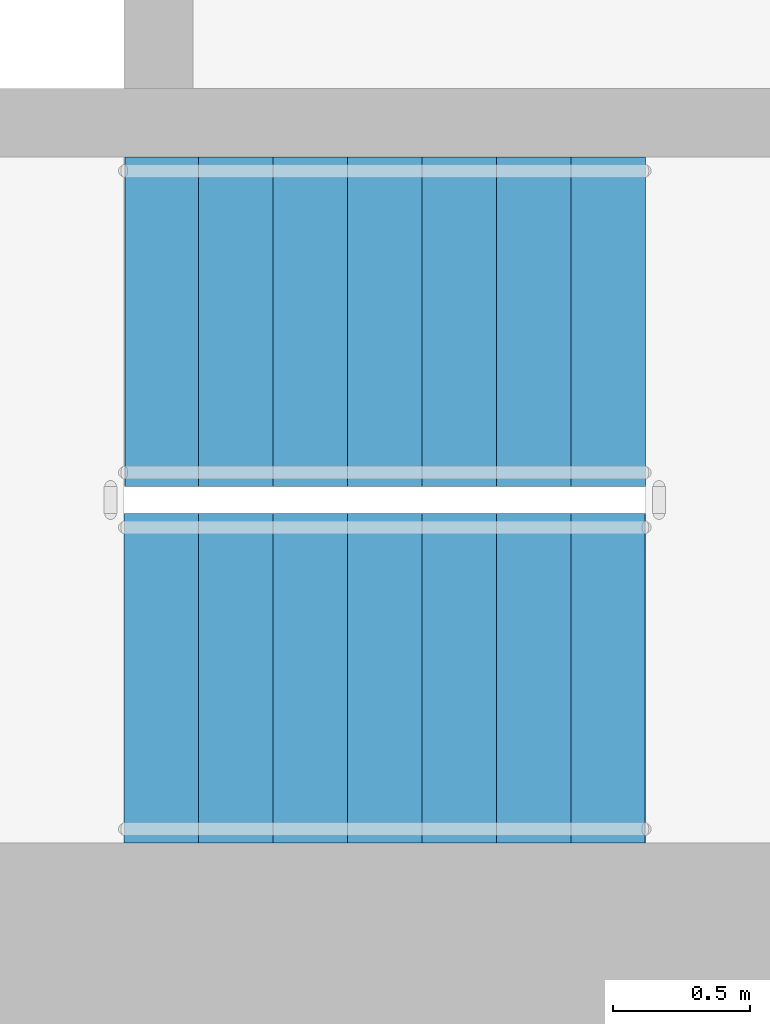
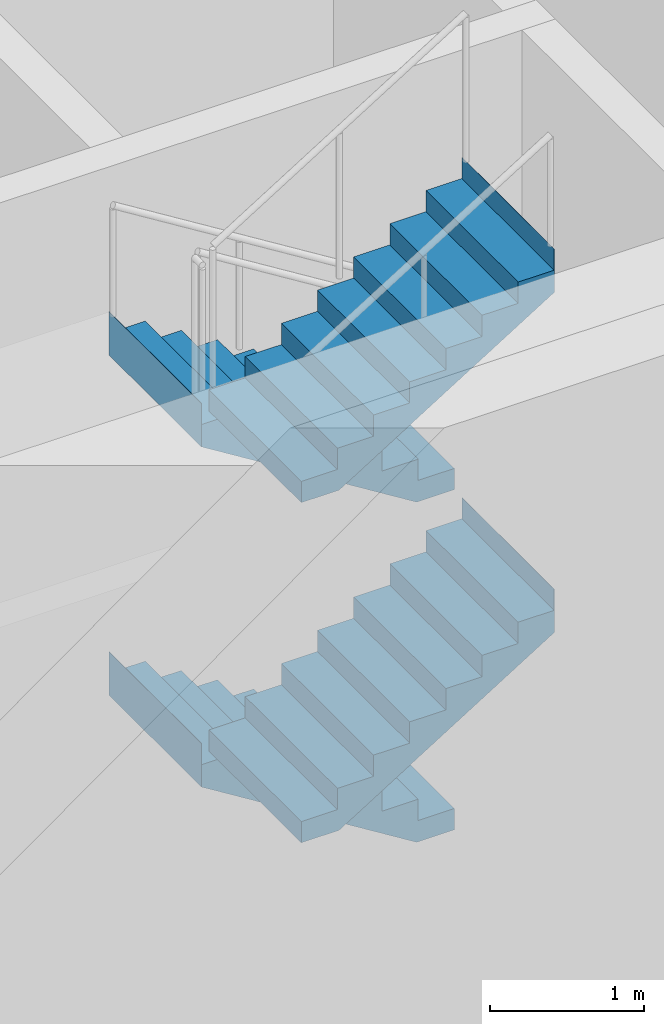
# One storey, part 10 of 18: 4 stair flights, 1 element without a shape of its own.
"""IFC4 building model written with IfcOpenShell, lengths in metres."""

from ifc_helpers import new_model, si_unit, direction, frame, origin, place, context, subcontext, project, spatial, triangles, material, type_object, element, aggregate, save


model = new_model("IFC4")

# Units and contexts
model_context = context("Model", 3, precision=1e-05, world=origin(), true_north=direction((0.0, 1.0)))
body_context = subcontext(model_context, "Body", "Model", "MODEL_VIEW")
ifc_project = project(units=[si_unit("LENGTHUNIT", "METRE"), si_unit("AREAUNIT", "SQUARE_METRE"), si_unit("VOLUMEUNIT", "CUBIC_METRE"), si_unit("PLANEANGLEUNIT", "RADIAN"), si_unit("MASSUNIT", "GRAM", prefix="KILO")], contexts=[model_context])

# Site, building, storey
site_placement = place(None, origin())
site = spatial("IfcSite", under=ifc_project, at=site_placement, CompositionType="ELEMENT")
building_placement = place(site_placement, origin())
building = spatial("IfcBuilding", under=site, at=building_placement, Name="Sahrelin Media Tower", CompositionType="ELEMENT")
storey_placement = place(building_placement, frame((0.0, 0.0, 197.60009765625)))
storey = spatial("IfcBuildingStorey", under=building, at=storey_placement, Name="L42", CompositionType="ELEMENT", Elevation=197.60009765625)

# Stair, stair flights
ifc_material = material(Name="Concrete C40/50", Category="concrete")
stair_type = type_object("IfcStairType", Name="Exit stair 1200", PredefinedType="HALF_TURN_STAIR", material=ifc_material)
stair_placement = place(storey_placement, origin())
stair = element("IfcStair", 1, at=stair_placement, inside=storey, type_object=stair_type, Name="L42 Exit stair ST2", PredefinedType="HALF_TURN_STAIR")
stair_flight_type = type_object("IfcStairFlightType", Name="Stair flight 1200", PredefinedType="STRAIGHT", material=ifc_material)
stair_flight_1_placement = place(storey_placement, frame((7.675048828125, -4.699951171875, 0.0), z_axis=(0.0, 0.0, 1.0), x_axis=(-1.0, 0.0, 0.0)))
stair_flight_1 = element("IfcStairFlight", 2, at=stair_flight_1_placement, type_object=stair_flight_type, Name="ST2 flight 1", NumberOfRisers=8, NumberOfTreads=7, PredefinedType="STRAIGHT", RiserHeight=0.16875, TreadLength=0.271428571, context=body_context, shape_type="Tessellation", body=[
    triangles([(0.283935546875, 0.60009765625, 0.0), (0.283935546875, 0.300048828125, 0.0), (0.283935546875, 0.0, 0.0), (0.283935546875, -0.300048828125, 0.0), (0.283935546875, -0.60009765625, 0.0), (1.89990234375, 0.60009765625, 1.004638671875), (1.89990234375, 0.300048828125, 1.004638671875), (1.89990234375, 0.0, 1.004638671875), (1.89990234375, -0.300048828125, 1.004638671875), (1.89990234375, -0.60009765625, 1.004638671875), (1.89990234375, 0.60009765625, 1.35009765625), (1.89990234375, 0.300048828125, 1.35009765625), (1.89990234375, 0.0, 1.35009765625), (1.89990234375, -0.300048828125, 1.35009765625), (1.89990234375, -0.60009765625, 1.35009765625), (1.89794921875, 0.60009765625, 1.35009765625), (1.89794921875, 0.300048828125, 1.35009765625), (1.89794921875, 0.0, 1.35009765625), (1.89794921875, -0.300048828125, 1.35009765625), (1.89794921875, -0.60009765625, 1.35009765625), (1.89794921875, 0.60009765625, 1.18115234375), (1.89794921875, 0.300048828125, 1.18115234375), (1.89794921875, 0.0, 1.18115234375), (1.89794921875, -0.300048828125, 1.18115234375), (1.89794921875, -0.60009765625, 1.18115234375), (1.628662109375, 0.60009765625, 1.18115234375), (1.628662109375, 0.300048828125, 1.18115234375), (1.628662109375, 0.0, 1.18115234375), (1.628662109375, -0.300048828125, 1.18115234375), (1.628662109375, -0.60009765625, 1.18115234375), (1.628662109375, 0.60009765625, 1.012451171875), (1.628662109375, 0.300048828125, 1.012451171875), (1.628662109375, 0.0, 1.012451171875), (1.628662109375, -0.300048828125, 1.012451171875), (1.628662109375, -0.60009765625, 1.012451171875), (1.357177734375, 0.60009765625, 1.012451171875), (1.357177734375, 0.300048828125, 1.012451171875), (1.357177734375, 0.0, 1.012451171875), (1.357177734375, -0.300048828125, 1.012451171875), (1.357177734375, -0.60009765625, 1.012451171875), (1.357177734375, 0.60009765625, 0.84375), (1.357177734375, 0.300048828125, 0.84375), (1.357177734375, 0.0, 0.84375), (1.357177734375, -0.300048828125, 0.84375), (1.357177734375, -0.60009765625, 0.84375), (1.085693359375, 0.60009765625, 0.84375), (1.085693359375, 0.300048828125, 0.84375), (1.085693359375, 0.0, 0.84375), (1.085693359375, -0.300048828125, 0.84375), (1.085693359375, -0.60009765625, 0.84375), (1.085693359375, 0.60009765625, 0.675048828125), (1.085693359375, 0.300048828125, 0.675048828125), (1.085693359375, 0.0, 0.675048828125), (1.085693359375, -0.300048828125, 0.675048828125), (1.085693359375, -0.60009765625, 0.675048828125), (0.814208984375, 0.60009765625, 0.675048828125), (0.814208984375, 0.300048828125, 0.675048828125), (0.814208984375, 0.0, 0.675048828125), (0.814208984375, -0.300048828125, 0.675048828125), (0.814208984375, -0.60009765625, 0.675048828125), (0.814208984375, 0.60009765625, 0.50634765625), (0.814208984375, 0.300048828125, 0.50634765625), (0.814208984375, 0.0, 0.50634765625), (0.814208984375, -0.300048828125, 0.50634765625), (0.814208984375, -0.60009765625, 0.50634765625), (0.54296875, 0.60009765625, 0.50634765625), (0.54296875, 0.300048828125, 0.50634765625), (0.54296875, 0.0, 0.50634765625), (0.54296875, -0.300048828125, 0.50634765625), (0.54296875, -0.60009765625, 0.50634765625), (0.54296875, 0.60009765625, 0.33740234375), (0.54296875, 0.300048828125, 0.33740234375), (0.54296875, 0.0, 0.33740234375), (0.54296875, -0.300048828125, 0.33740234375), (0.54296875, -0.60009765625, 0.33740234375), (0.271484375, 0.60009765625, 0.33740234375), (0.271484375, 0.300048828125, 0.33740234375), (0.271484375, 0.0, 0.33740234375), (0.271484375, -0.300048828125, 0.33740234375), (0.271484375, -0.60009765625, 0.33740234375), (0.271484375, 0.60009765625, 0.168701171875), (0.271484375, 0.300048828125, 0.168701171875), (0.271484375, 0.0, 0.168701171875), (0.271484375, -0.300048828125, 0.168701171875), (0.271484375, -0.60009765625, 0.168701171875), (0.0, 0.60009765625, 0.168701171875), (0.0, 0.300048828125, 0.168701171875), (0.0, 0.0, 0.168701171875), (0.0, -0.300048828125, 0.168701171875), (0.0, -0.60009765625, 0.168701171875), (0.0, 0.60009765625, 0.0), (0.0, 0.300048828125, 0.0), (0.0, 0.0, 0.0), (0.0, -0.300048828125, 0.0), (0.0, -0.60009765625, 0.0)], [[1, 6, 7], [1, 7, 2], [2, 7, 8], [2, 8, 3], [3, 8, 9], [3, 9, 4], [4, 9, 10], [4, 10, 5], [6, 11, 12], [6, 12, 7], [7, 12, 13], [7, 13, 8], [8, 13, 14], [8, 14, 9], [9, 14, 15], [9, 15, 10], [11, 16, 17], [11, 17, 12], [12, 17, 18], [12, 18, 13], [13, 18, 19], [13, 19, 14], [14, 19, 20], [14, 20, 15], [16, 21, 22], [16, 22, 17], [17, 22, 23], [17, 23, 18], [18, 23, 24], [18, 24, 19], [19, 24, 25], [19, 25, 20], [21, 26, 27], [21, 27, 22], [22, 27, 28], [22, 28, 23], [23, 28, 29], [23, 29, 24], [24, 29, 30], [24, 30, 25], [26, 31, 32], [26, 32, 27], [27, 32, 33], [27, 33, 28], [28, 33, 34], [28, 34, 29], [29, 34, 35], [29, 35, 30], [31, 36, 37], [31, 37, 32], [32, 37, 38], [32, 38, 33], [33, 38, 39], [33, 39, 34], [34, 39, 40], [34, 40, 35], [36, 41, 42], [36, 42, 37], [37, 42, 43], [37, 43, 38], [38, 43, 44], [38, 44, 39], [39, 44, 45], [39, 45, 40], [41, 46, 47], [41, 47, 42], [42, 47, 48], [42, 48, 43], [43, 48, 49], [43, 49, 44], [44, 49, 50], [44, 50, 45], [46, 51, 52], [46, 52, 47], [47, 52, 53], [47, 53, 48], [48, 53, 54], [48, 54, 49], [49, 54, 55], [49, 55, 50], [51, 56, 57], [51, 57, 52], [52, 57, 58], [52, 58, 53], [53, 58, 59], [53, 59, 54], [54, 59, 60], [54, 60, 55], [56, 61, 62], [56, 62, 57], [57, 62, 63], [57, 63, 58], [58, 63, 64], [58, 64, 59], [59, 64, 65], [59, 65, 60], [61, 66, 67], [61, 67, 62], [62, 67, 68], [62, 68, 63], [63, 68, 69], [63, 69, 64], [64, 69, 70], [64, 70, 65], [66, 71, 72], [66, 72, 67], [67, 72, 73], [67, 73, 68], [68, 73, 74], [68, 74, 69], [69, 74, 75], [69, 75, 70], [71, 76, 77], [71, 77, 72], [72, 77, 78], [72, 78, 73], [73, 78, 79], [73, 79, 74], [74, 79, 80], [74, 80, 75], [76, 81, 82], [76, 82, 77], [77, 82, 83], [77, 83, 78], [78, 83, 84], [78, 84, 79], [79, 84, 85], [79, 85, 80], [81, 86, 87], [81, 87, 82], [82, 87, 88], [82, 88, 83], [83, 88, 89], [83, 89, 84], [84, 89, 90], [84, 90, 85], [86, 91, 92], [86, 92, 87], [87, 92, 93], [87, 93, 88], [88, 93, 94], [88, 94, 89], [89, 94, 95], [89, 95, 90], [91, 1, 2], [91, 2, 92], [92, 2, 3], [92, 3, 93], [93, 3, 4], [93, 4, 94], [94, 4, 5], [94, 5, 95], [85, 90, 95], [81, 91, 86], [85, 75, 80], [81, 76, 71], [75, 65, 70], [71, 66, 61], [65, 55, 60], [61, 56, 51], [55, 45, 50], [51, 46, 41], [45, 35, 40], [41, 36, 31], [35, 25, 30], [31, 26, 21], [25, 15, 20], [21, 16, 11], [95, 5, 85], [91, 81, 1], [5, 55, 65], [1, 61, 51], [25, 10, 15], [21, 11, 6], [75, 85, 5], [71, 1, 81], [10, 45, 55], [6, 51, 41], [35, 10, 25], [31, 21, 6], [65, 75, 5], [61, 1, 71], [45, 10, 35], [41, 31, 6], [5, 10, 55], [1, 51, 6]], closed=True),
])
stair_flight_2_placement = place(storey_placement, frame((5.77490234375, -6.0, 1.349853515625), z_axis=(0.0, 0.0, 1.0), x_axis=(1.0, 0.0, 0.0)))
stair_flight_2 = element("IfcStairFlight", 3, at=stair_flight_2_placement, type_object=stair_flight_type, Name="ST2 flight 2", NumberOfRisers=8, NumberOfTreads=7, PredefinedType="STRAIGHT", RiserHeight=0.16875, TreadLength=0.271428571, context=body_context, shape_type="Tessellation", body=[
    triangles([(0.283935546875, 0.60009765625, 0.0), (0.283935546875, 0.300048828125, 0.0), (0.283935546875, 0.0, 0.0), (0.283935546875, -0.300048828125, 0.0), (0.283935546875, -0.60009765625, 0.0), (1.89990234375, 0.60009765625, 1.004638671875), (1.89990234375, 0.300048828125, 1.004638671875), (1.89990234375, 0.0, 1.004638671875), (1.89990234375, -0.300048828125, 1.004638671875), (1.89990234375, -0.60009765625, 1.004638671875), (1.89990234375, 0.60009765625, 1.35009765625), (1.89990234375, 0.300048828125, 1.35009765625), (1.89990234375, 0.0, 1.35009765625), (1.89990234375, -0.300048828125, 1.35009765625), (1.89990234375, -0.60009765625, 1.35009765625), (1.89794921875, 0.60009765625, 1.35009765625), (1.89794921875, 0.300048828125, 1.35009765625), (1.89794921875, 0.0, 1.35009765625), (1.89794921875, -0.300048828125, 1.35009765625), (1.89794921875, -0.60009765625, 1.35009765625), (1.89794921875, 0.60009765625, 1.18115234375), (1.89794921875, 0.300048828125, 1.18115234375), (1.89794921875, 0.0, 1.18115234375), (1.89794921875, -0.300048828125, 1.18115234375), (1.89794921875, -0.60009765625, 1.18115234375), (1.628662109375, 0.60009765625, 1.18115234375), (1.628662109375, 0.300048828125, 1.18115234375), (1.628662109375, 0.0, 1.18115234375), (1.628662109375, -0.300048828125, 1.18115234375), (1.628662109375, -0.60009765625, 1.18115234375), (1.628662109375, 0.60009765625, 1.012451171875), (1.628662109375, 0.300048828125, 1.012451171875), (1.628662109375, 0.0, 1.012451171875), (1.628662109375, -0.300048828125, 1.012451171875), (1.628662109375, -0.60009765625, 1.012451171875), (1.357177734375, 0.60009765625, 1.012451171875), (1.357177734375, 0.300048828125, 1.012451171875), (1.357177734375, 0.0, 1.012451171875), (1.357177734375, -0.300048828125, 1.012451171875), (1.357177734375, -0.60009765625, 1.012451171875), (1.357177734375, 0.60009765625, 0.84375), (1.357177734375, 0.300048828125, 0.84375), (1.357177734375, 0.0, 0.84375), (1.357177734375, -0.300048828125, 0.84375), (1.357177734375, -0.60009765625, 0.84375), (1.085693359375, 0.60009765625, 0.84375), (1.085693359375, 0.300048828125, 0.84375), (1.085693359375, 0.0, 0.84375), (1.085693359375, -0.300048828125, 0.84375), (1.085693359375, -0.60009765625, 0.84375), (1.085693359375, 0.60009765625, 0.675048828125), (1.085693359375, 0.300048828125, 0.675048828125), (1.085693359375, 0.0, 0.675048828125), (1.085693359375, -0.300048828125, 0.675048828125), (1.085693359375, -0.60009765625, 0.675048828125), (0.814208984375, 0.60009765625, 0.675048828125), (0.814208984375, 0.300048828125, 0.675048828125), (0.814208984375, 0.0, 0.675048828125), (0.814208984375, -0.300048828125, 0.675048828125), (0.814208984375, -0.60009765625, 0.675048828125), (0.814208984375, 0.60009765625, 0.50634765625), (0.814208984375, 0.300048828125, 0.50634765625), (0.814208984375, 0.0, 0.50634765625), (0.814208984375, -0.300048828125, 0.50634765625), (0.814208984375, -0.60009765625, 0.50634765625), (0.54296875, 0.60009765625, 0.50634765625), (0.54296875, 0.300048828125, 0.50634765625), (0.54296875, 0.0, 0.50634765625), (0.54296875, -0.300048828125, 0.50634765625), (0.54296875, -0.60009765625, 0.50634765625), (0.54296875, 0.60009765625, 0.33740234375), (0.54296875, 0.300048828125, 0.33740234375), (0.54296875, 0.0, 0.33740234375), (0.54296875, -0.300048828125, 0.33740234375), (0.54296875, -0.60009765625, 0.33740234375), (0.271484375, 0.60009765625, 0.33740234375), (0.271484375, 0.300048828125, 0.33740234375), (0.271484375, 0.0, 0.33740234375), (0.271484375, -0.300048828125, 0.33740234375), (0.271484375, -0.60009765625, 0.33740234375), (0.271484375, 0.60009765625, 0.168701171875), (0.271484375, 0.300048828125, 0.168701171875), (0.271484375, 0.0, 0.168701171875), (0.271484375, -0.300048828125, 0.168701171875), (0.271484375, -0.60009765625, 0.168701171875), (0.0, 0.60009765625, 0.168701171875), (0.0, 0.300048828125, 0.168701171875), (0.0, 0.0, 0.168701171875), (0.0, -0.300048828125, 0.168701171875), (0.0, -0.60009765625, 0.168701171875), (0.0, 0.60009765625, 0.0), (0.0, 0.300048828125, 0.0), (0.0, 0.0, 0.0), (0.0, -0.300048828125, 0.0), (0.0, -0.60009765625, 0.0)], [[1, 6, 7], [1, 7, 2], [2, 7, 8], [2, 8, 3], [3, 8, 9], [3, 9, 4], [4, 9, 10], [4, 10, 5], [6, 11, 12], [6, 12, 7], [7, 12, 13], [7, 13, 8], [8, 13, 14], [8, 14, 9], [9, 14, 15], [9, 15, 10], [11, 16, 17], [11, 17, 12], [12, 17, 18], [12, 18, 13], [13, 18, 19], [13, 19, 14], [14, 19, 20], [14, 20, 15], [16, 21, 22], [16, 22, 17], [17, 22, 23], [17, 23, 18], [18, 23, 24], [18, 24, 19], [19, 24, 25], [19, 25, 20], [21, 26, 27], [21, 27, 22], [22, 27, 28], [22, 28, 23], [23, 28, 29], [23, 29, 24], [24, 29, 30], [24, 30, 25], [26, 31, 32], [26, 32, 27], [27, 32, 33], [27, 33, 28], [28, 33, 34], [28, 34, 29], [29, 34, 35], [29, 35, 30], [31, 36, 37], [31, 37, 32], [32, 37, 38], [32, 38, 33], [33, 38, 39], [33, 39, 34], [34, 39, 40], [34, 40, 35], [36, 41, 42], [36, 42, 37], [37, 42, 43], [37, 43, 38], [38, 43, 44], [38, 44, 39], [39, 44, 45], [39, 45, 40], [41, 46, 47], [41, 47, 42], [42, 47, 48], [42, 48, 43], [43, 48, 49], [43, 49, 44], [44, 49, 50], [44, 50, 45], [46, 51, 52], [46, 52, 47], [47, 52, 53], [47, 53, 48], [48, 53, 54], [48, 54, 49], [49, 54, 55], [49, 55, 50], [51, 56, 57], [51, 57, 52], [52, 57, 58], [52, 58, 53], [53, 58, 59], [53, 59, 54], [54, 59, 60], [54, 60, 55], [56, 61, 62], [56, 62, 57], [57, 62, 63], [57, 63, 58], [58, 63, 64], [58, 64, 59], [59, 64, 65], [59, 65, 60], [61, 66, 67], [61, 67, 62], [62, 67, 68], [62, 68, 63], [63, 68, 69], [63, 69, 64], [64, 69, 70], [64, 70, 65], [66, 71, 72], [66, 72, 67], [67, 72, 73], [67, 73, 68], [68, 73, 74], [68, 74, 69], [69, 74, 75], [69, 75, 70], [71, 76, 77], [71, 77, 72], [72, 77, 78], [72, 78, 73], [73, 78, 79], [73, 79, 74], [74, 79, 80], [74, 80, 75], [76, 81, 82], [76, 82, 77], [77, 82, 83], [77, 83, 78], [78, 83, 84], [78, 84, 79], [79, 84, 85], [79, 85, 80], [81, 86, 87], [81, 87, 82], [82, 87, 88], [82, 88, 83], [83, 88, 89], [83, 89, 84], [84, 89, 90], [84, 90, 85], [86, 91, 92], [86, 92, 87], [87, 92, 93], [87, 93, 88], [88, 93, 94], [88, 94, 89], [89, 94, 95], [89, 95, 90], [91, 1, 2], [91, 2, 92], [92, 2, 3], [92, 3, 93], [93, 3, 4], [93, 4, 94], [94, 4, 5], [94, 5, 95], [85, 90, 95], [81, 91, 86], [85, 75, 80], [81, 76, 71], [75, 65, 70], [71, 66, 61], [65, 55, 60], [61, 56, 51], [55, 45, 50], [51, 46, 41], [45, 35, 40], [41, 36, 31], [35, 25, 30], [31, 26, 21], [25, 15, 20], [21, 16, 11], [95, 5, 85], [91, 81, 1], [5, 55, 65], [1, 61, 51], [25, 10, 15], [21, 11, 6], [75, 85, 5], [71, 1, 81], [10, 45, 55], [6, 51, 41], [35, 10, 25], [31, 21, 6], [65, 75, 5], [61, 1, 71], [45, 10, 35], [41, 31, 6], [5, 10, 55], [1, 51, 6]], closed=True),
])
stair_flight_3_placement = place(storey_placement, frame((7.675048828125, -4.699951171875, 2.699951171875), z_axis=(0.0, 0.0, 1.0), x_axis=(-1.0, 0.0, 0.0)))
stair_flight_3 = element("IfcStairFlight", 4, at=stair_flight_3_placement, type_object=stair_flight_type, Name="ST2 flight 3", NumberOfRisers=8, NumberOfTreads=7, PredefinedType="STRAIGHT", RiserHeight=0.16875, TreadLength=0.271428571, context=body_context, shape_type="Tessellation", body=[
    triangles([(0.283935546875, 0.60009765625, 0.0), (0.283935546875, 0.300048828125, 0.0), (0.283935546875, 0.0, 0.0), (0.283935546875, -0.300048828125, 0.0), (0.283935546875, -0.60009765625, 0.0), (1.89990234375, 0.60009765625, 1.004638671875), (1.89990234375, 0.300048828125, 1.004638671875), (1.89990234375, 0.0, 1.004638671875), (1.89990234375, -0.300048828125, 1.004638671875), (1.89990234375, -0.60009765625, 1.004638671875), (1.89990234375, 0.60009765625, 1.35009765625), (1.89990234375, 0.300048828125, 1.35009765625), (1.89990234375, 0.0, 1.35009765625), (1.89990234375, -0.300048828125, 1.35009765625), (1.89990234375, -0.60009765625, 1.35009765625), (1.89794921875, 0.60009765625, 1.35009765625), (1.89794921875, 0.300048828125, 1.35009765625), (1.89794921875, 0.0, 1.35009765625), (1.89794921875, -0.300048828125, 1.35009765625), (1.89794921875, -0.60009765625, 1.35009765625), (1.89794921875, 0.60009765625, 1.18115234375), (1.89794921875, 0.300048828125, 1.18115234375), (1.89794921875, 0.0, 1.18115234375), (1.89794921875, -0.300048828125, 1.18115234375), (1.89794921875, -0.60009765625, 1.18115234375), (1.628662109375, 0.60009765625, 1.18115234375), (1.628662109375, 0.300048828125, 1.18115234375), (1.628662109375, 0.0, 1.18115234375), (1.628662109375, -0.300048828125, 1.18115234375), (1.628662109375, -0.60009765625, 1.18115234375), (1.628662109375, 0.60009765625, 1.012451171875), (1.628662109375, 0.300048828125, 1.012451171875), (1.628662109375, 0.0, 1.012451171875), (1.628662109375, -0.300048828125, 1.012451171875), (1.628662109375, -0.60009765625, 1.012451171875), (1.357177734375, 0.60009765625, 1.012451171875), (1.357177734375, 0.300048828125, 1.012451171875), (1.357177734375, 0.0, 1.012451171875), (1.357177734375, -0.300048828125, 1.012451171875), (1.357177734375, -0.60009765625, 1.012451171875), (1.357177734375, 0.60009765625, 0.84375), (1.357177734375, 0.300048828125, 0.84375), (1.357177734375, 0.0, 0.84375), (1.357177734375, -0.300048828125, 0.84375), (1.357177734375, -0.60009765625, 0.84375), (1.085693359375, 0.60009765625, 0.84375), (1.085693359375, 0.300048828125, 0.84375), (1.085693359375, 0.0, 0.84375), (1.085693359375, -0.300048828125, 0.84375), (1.085693359375, -0.60009765625, 0.84375), (1.085693359375, 0.60009765625, 0.675048828125), (1.085693359375, 0.300048828125, 0.675048828125), (1.085693359375, 0.0, 0.675048828125), (1.085693359375, -0.300048828125, 0.675048828125), (1.085693359375, -0.60009765625, 0.675048828125), (0.814208984375, 0.60009765625, 0.675048828125), (0.814208984375, 0.300048828125, 0.675048828125), (0.814208984375, 0.0, 0.675048828125), (0.814208984375, -0.300048828125, 0.675048828125), (0.814208984375, -0.60009765625, 0.675048828125), (0.814208984375, 0.60009765625, 0.50634765625), (0.814208984375, 0.300048828125, 0.50634765625), (0.814208984375, 0.0, 0.50634765625), (0.814208984375, -0.300048828125, 0.50634765625), (0.814208984375, -0.60009765625, 0.50634765625), (0.54296875, 0.60009765625, 0.50634765625), (0.54296875, 0.300048828125, 0.50634765625), (0.54296875, 0.0, 0.50634765625), (0.54296875, -0.300048828125, 0.50634765625), (0.54296875, -0.60009765625, 0.50634765625), (0.54296875, 0.60009765625, 0.33740234375), (0.54296875, 0.300048828125, 0.33740234375), (0.54296875, 0.0, 0.33740234375), (0.54296875, -0.300048828125, 0.33740234375), (0.54296875, -0.60009765625, 0.33740234375), (0.271484375, 0.60009765625, 0.33740234375), (0.271484375, 0.300048828125, 0.33740234375), (0.271484375, 0.0, 0.33740234375), (0.271484375, -0.300048828125, 0.33740234375), (0.271484375, -0.60009765625, 0.33740234375), (0.271484375, 0.60009765625, 0.168701171875), (0.271484375, 0.300048828125, 0.168701171875), (0.271484375, 0.0, 0.168701171875), (0.271484375, -0.300048828125, 0.168701171875), (0.271484375, -0.60009765625, 0.168701171875), (0.0, 0.60009765625, 0.168701171875), (0.0, 0.300048828125, 0.168701171875), (0.0, 0.0, 0.168701171875), (0.0, -0.300048828125, 0.168701171875), (0.0, -0.60009765625, 0.168701171875), (0.0, 0.60009765625, 0.0), (0.0, 0.300048828125, 0.0), (0.0, 0.0, 0.0), (0.0, -0.300048828125, 0.0), (0.0, -0.60009765625, 0.0)], [[1, 6, 7], [1, 7, 2], [2, 7, 8], [2, 8, 3], [3, 8, 9], [3, 9, 4], [4, 9, 10], [4, 10, 5], [6, 11, 12], [6, 12, 7], [7, 12, 13], [7, 13, 8], [8, 13, 14], [8, 14, 9], [9, 14, 15], [9, 15, 10], [11, 16, 17], [11, 17, 12], [12, 17, 18], [12, 18, 13], [13, 18, 19], [13, 19, 14], [14, 19, 20], [14, 20, 15], [16, 21, 22], [16, 22, 17], [17, 22, 23], [17, 23, 18], [18, 23, 24], [18, 24, 19], [19, 24, 25], [19, 25, 20], [21, 26, 27], [21, 27, 22], [22, 27, 28], [22, 28, 23], [23, 28, 29], [23, 29, 24], [24, 29, 30], [24, 30, 25], [26, 31, 32], [26, 32, 27], [27, 32, 33], [27, 33, 28], [28, 33, 34], [28, 34, 29], [29, 34, 35], [29, 35, 30], [31, 36, 37], [31, 37, 32], [32, 37, 38], [32, 38, 33], [33, 38, 39], [33, 39, 34], [34, 39, 40], [34, 40, 35], [36, 41, 42], [36, 42, 37], [37, 42, 43], [37, 43, 38], [38, 43, 44], [38, 44, 39], [39, 44, 45], [39, 45, 40], [41, 46, 47], [41, 47, 42], [42, 47, 48], [42, 48, 43], [43, 48, 49], [43, 49, 44], [44, 49, 50], [44, 50, 45], [46, 51, 52], [46, 52, 47], [47, 52, 53], [47, 53, 48], [48, 53, 54], [48, 54, 49], [49, 54, 55], [49, 55, 50], [51, 56, 57], [51, 57, 52], [52, 57, 58], [52, 58, 53], [53, 58, 59], [53, 59, 54], [54, 59, 60], [54, 60, 55], [56, 61, 62], [56, 62, 57], [57, 62, 63], [57, 63, 58], [58, 63, 64], [58, 64, 59], [59, 64, 65], [59, 65, 60], [61, 66, 67], [61, 67, 62], [62, 67, 68], [62, 68, 63], [63, 68, 69], [63, 69, 64], [64, 69, 70], [64, 70, 65], [66, 71, 72], [66, 72, 67], [67, 72, 73], [67, 73, 68], [68, 73, 74], [68, 74, 69], [69, 74, 75], [69, 75, 70], [71, 76, 77], [71, 77, 72], [72, 77, 78], [72, 78, 73], [73, 78, 79], [73, 79, 74], [74, 79, 80], [74, 80, 75], [76, 81, 82], [76, 82, 77], [77, 82, 83], [77, 83, 78], [78, 83, 84], [78, 84, 79], [79, 84, 85], [79, 85, 80], [81, 86, 87], [81, 87, 82], [82, 87, 88], [82, 88, 83], [83, 88, 89], [83, 89, 84], [84, 89, 90], [84, 90, 85], [86, 91, 92], [86, 92, 87], [87, 92, 93], [87, 93, 88], [88, 93, 94], [88, 94, 89], [89, 94, 95], [89, 95, 90], [91, 1, 2], [91, 2, 92], [92, 2, 3], [92, 3, 93], [93, 3, 4], [93, 4, 94], [94, 4, 5], [94, 5, 95], [85, 90, 95], [81, 91, 86], [85, 75, 80], [81, 76, 71], [75, 65, 70], [71, 66, 61], [65, 55, 60], [61, 56, 51], [55, 45, 50], [51, 46, 41], [45, 35, 40], [41, 36, 31], [35, 25, 30], [31, 26, 21], [25, 15, 20], [21, 16, 11], [95, 5, 85], [91, 81, 1], [5, 55, 65], [1, 61, 51], [25, 10, 15], [21, 11, 6], [75, 85, 5], [71, 1, 81], [10, 45, 55], [6, 51, 41], [35, 10, 25], [31, 21, 6], [65, 75, 5], [61, 1, 71], [45, 10, 35], [41, 31, 6], [5, 10, 55], [1, 51, 6]], closed=True),
])
stair_flight_4_placement = place(storey_placement, frame((5.77490234375, -6.0, 4.0498046875), z_axis=(0.0, 0.0, 1.0), x_axis=(1.0, 0.0, 0.0)))
stair_flight_4 = element("IfcStairFlight", 5, at=stair_flight_4_placement, type_object=stair_flight_type, Name="ST2 flight 4", NumberOfRisers=8, NumberOfTreads=7, PredefinedType="STRAIGHT", RiserHeight=0.16875, TreadLength=0.271428571, context=body_context, shape_type="Tessellation", body=[
    triangles([(0.283935546875, 0.60009765625, 0.0), (0.283935546875, 0.300048828125, 0.0), (0.283935546875, 0.0, 0.0), (0.283935546875, -0.300048828125, 0.0), (0.283935546875, -0.60009765625, 0.0), (1.89990234375, 0.60009765625, 1.004638671875), (1.89990234375, 0.300048828125, 1.004638671875), (1.89990234375, 0.0, 1.004638671875), (1.89990234375, -0.300048828125, 1.004638671875), (1.89990234375, -0.60009765625, 1.004638671875), (1.89990234375, 0.60009765625, 1.35009765625), (1.89990234375, 0.300048828125, 1.35009765625), (1.89990234375, 0.0, 1.35009765625), (1.89990234375, -0.300048828125, 1.35009765625), (1.89990234375, -0.60009765625, 1.35009765625), (1.89794921875, 0.60009765625, 1.35009765625), (1.89794921875, 0.300048828125, 1.35009765625), (1.89794921875, 0.0, 1.35009765625), (1.89794921875, -0.300048828125, 1.35009765625), (1.89794921875, -0.60009765625, 1.35009765625), (1.89794921875, 0.60009765625, 1.18115234375), (1.89794921875, 0.300048828125, 1.18115234375), (1.89794921875, 0.0, 1.18115234375), (1.89794921875, -0.300048828125, 1.18115234375), (1.89794921875, -0.60009765625, 1.18115234375), (1.628662109375, 0.60009765625, 1.18115234375), (1.628662109375, 0.300048828125, 1.18115234375), (1.628662109375, 0.0, 1.18115234375), (1.628662109375, -0.300048828125, 1.18115234375), (1.628662109375, -0.60009765625, 1.18115234375), (1.628662109375, 0.60009765625, 1.012451171875), (1.628662109375, 0.300048828125, 1.012451171875), (1.628662109375, 0.0, 1.012451171875), (1.628662109375, -0.300048828125, 1.012451171875), (1.628662109375, -0.60009765625, 1.012451171875), (1.357177734375, 0.60009765625, 1.012451171875), (1.357177734375, 0.300048828125, 1.012451171875), (1.357177734375, 0.0, 1.012451171875), (1.357177734375, -0.300048828125, 1.012451171875), (1.357177734375, -0.60009765625, 1.012451171875), (1.357177734375, 0.60009765625, 0.84375), (1.357177734375, 0.300048828125, 0.84375), (1.357177734375, 0.0, 0.84375), (1.357177734375, -0.300048828125, 0.84375), (1.357177734375, -0.60009765625, 0.84375), (1.085693359375, 0.60009765625, 0.84375), (1.085693359375, 0.300048828125, 0.84375), (1.085693359375, 0.0, 0.84375), (1.085693359375, -0.300048828125, 0.84375), (1.085693359375, -0.60009765625, 0.84375), (1.085693359375, 0.60009765625, 0.675048828125), (1.085693359375, 0.300048828125, 0.675048828125), (1.085693359375, 0.0, 0.675048828125), (1.085693359375, -0.300048828125, 0.675048828125), (1.085693359375, -0.60009765625, 0.675048828125), (0.814208984375, 0.60009765625, 0.675048828125), (0.814208984375, 0.300048828125, 0.675048828125), (0.814208984375, 0.0, 0.675048828125), (0.814208984375, -0.300048828125, 0.675048828125), (0.814208984375, -0.60009765625, 0.675048828125), (0.814208984375, 0.60009765625, 0.50634765625), (0.814208984375, 0.300048828125, 0.50634765625), (0.814208984375, 0.0, 0.50634765625), (0.814208984375, -0.300048828125, 0.50634765625), (0.814208984375, -0.60009765625, 0.50634765625), (0.54296875, 0.60009765625, 0.50634765625), (0.54296875, 0.300048828125, 0.50634765625), (0.54296875, 0.0, 0.50634765625), (0.54296875, -0.300048828125, 0.50634765625), (0.54296875, -0.60009765625, 0.50634765625), (0.54296875, 0.60009765625, 0.33740234375), (0.54296875, 0.300048828125, 0.33740234375), (0.54296875, 0.0, 0.33740234375), (0.54296875, -0.300048828125, 0.33740234375), (0.54296875, -0.60009765625, 0.33740234375), (0.271484375, 0.60009765625, 0.33740234375), (0.271484375, 0.300048828125, 0.33740234375), (0.271484375, 0.0, 0.33740234375), (0.271484375, -0.300048828125, 0.33740234375), (0.271484375, -0.60009765625, 0.33740234375), (0.271484375, 0.60009765625, 0.168701171875), (0.271484375, 0.300048828125, 0.168701171875), (0.271484375, 0.0, 0.168701171875), (0.271484375, -0.300048828125, 0.168701171875), (0.271484375, -0.60009765625, 0.168701171875), (0.0, 0.60009765625, 0.168701171875), (0.0, 0.300048828125, 0.168701171875), (0.0, 0.0, 0.168701171875), (0.0, -0.300048828125, 0.168701171875), (0.0, -0.60009765625, 0.168701171875), (0.0, 0.60009765625, 0.0), (0.0, 0.300048828125, 0.0), (0.0, 0.0, 0.0), (0.0, -0.300048828125, 0.0), (0.0, -0.60009765625, 0.0)], [[1, 6, 7], [1, 7, 2], [2, 7, 8], [2, 8, 3], [3, 8, 9], [3, 9, 4], [4, 9, 10], [4, 10, 5], [6, 11, 12], [6, 12, 7], [7, 12, 13], [7, 13, 8], [8, 13, 14], [8, 14, 9], [9, 14, 15], [9, 15, 10], [11, 16, 17], [11, 17, 12], [12, 17, 18], [12, 18, 13], [13, 18, 19], [13, 19, 14], [14, 19, 20], [14, 20, 15], [16, 21, 22], [16, 22, 17], [17, 22, 23], [17, 23, 18], [18, 23, 24], [18, 24, 19], [19, 24, 25], [19, 25, 20], [21, 26, 27], [21, 27, 22], [22, 27, 28], [22, 28, 23], [23, 28, 29], [23, 29, 24], [24, 29, 30], [24, 30, 25], [26, 31, 32], [26, 32, 27], [27, 32, 33], [27, 33, 28], [28, 33, 34], [28, 34, 29], [29, 34, 35], [29, 35, 30], [31, 36, 37], [31, 37, 32], [32, 37, 38], [32, 38, 33], [33, 38, 39], [33, 39, 34], [34, 39, 40], [34, 40, 35], [36, 41, 42], [36, 42, 37], [37, 42, 43], [37, 43, 38], [38, 43, 44], [38, 44, 39], [39, 44, 45], [39, 45, 40], [41, 46, 47], [41, 47, 42], [42, 47, 48], [42, 48, 43], [43, 48, 49], [43, 49, 44], [44, 49, 50], [44, 50, 45], [46, 51, 52], [46, 52, 47], [47, 52, 53], [47, 53, 48], [48, 53, 54], [48, 54, 49], [49, 54, 55], [49, 55, 50], [51, 56, 57], [51, 57, 52], [52, 57, 58], [52, 58, 53], [53, 58, 59], [53, 59, 54], [54, 59, 60], [54, 60, 55], [56, 61, 62], [56, 62, 57], [57, 62, 63], [57, 63, 58], [58, 63, 64], [58, 64, 59], [59, 64, 65], [59, 65, 60], [61, 66, 67], [61, 67, 62], [62, 67, 68], [62, 68, 63], [63, 68, 69], [63, 69, 64], [64, 69, 70], [64, 70, 65], [66, 71, 72], [66, 72, 67], [67, 72, 73], [67, 73, 68], [68, 73, 74], [68, 74, 69], [69, 74, 75], [69, 75, 70], [71, 76, 77], [71, 77, 72], [72, 77, 78], [72, 78, 73], [73, 78, 79], [73, 79, 74], [74, 79, 80], [74, 80, 75], [76, 81, 82], [76, 82, 77], [77, 82, 83], [77, 83, 78], [78, 83, 84], [78, 84, 79], [79, 84, 85], [79, 85, 80], [81, 86, 87], [81, 87, 82], [82, 87, 88], [82, 88, 83], [83, 88, 89], [83, 89, 84], [84, 89, 90], [84, 90, 85], [86, 91, 92], [86, 92, 87], [87, 92, 93], [87, 93, 88], [88, 93, 94], [88, 94, 89], [89, 94, 95], [89, 95, 90], [91, 1, 2], [91, 2, 92], [92, 2, 3], [92, 3, 93], [93, 3, 4], [93, 4, 94], [94, 4, 5], [94, 5, 95], [85, 90, 95], [81, 91, 86], [85, 75, 80], [81, 76, 71], [75, 65, 70], [71, 66, 61], [65, 55, 60], [61, 56, 51], [55, 45, 50], [51, 46, 41], [45, 35, 40], [41, 36, 31], [35, 25, 30], [31, 26, 21], [25, 15, 20], [21, 16, 11], [95, 5, 85], [91, 81, 1], [5, 55, 65], [1, 61, 51], [25, 10, 15], [21, 11, 6], [75, 85, 5], [71, 1, 81], [10, 45, 55], [6, 51, 41], [35, 10, 25], [31, 21, 6], [65, 75, 5], [61, 1, 71], [45, 10, 35], [41, 31, 6], [5, 10, 55], [1, 51, 6]], closed=True),
])
aggregate(stair, [stair_flight_1, stair_flight_2, stair_flight_3, stair_flight_4])

save(model, "model.ifc")
